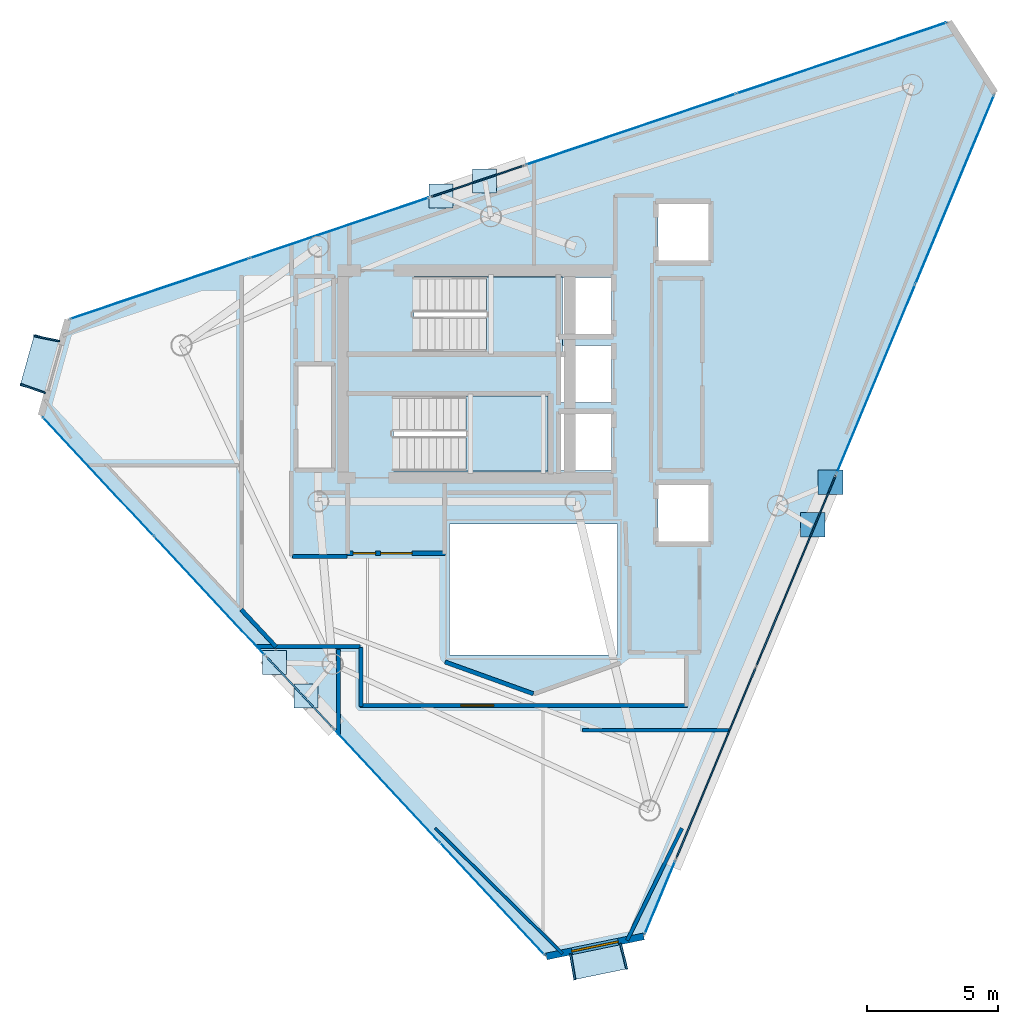
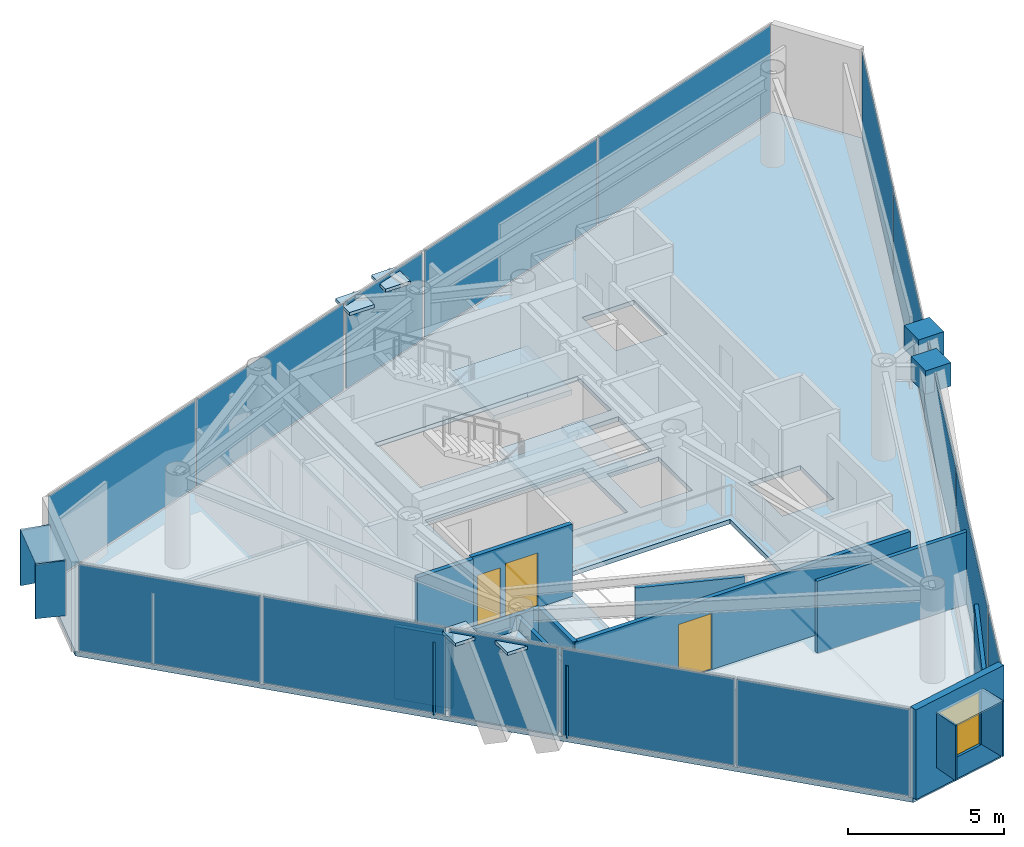
# One storey, part 16 of 19: 27 plates, 12 walls, 3 doors, 3 slabs, 1 window, 4 openings, 11 elements without a shape of their own.
"""IFC4 building model written with IfcOpenShell, lengths in metres."""

from ifc_helpers import new_model, si_unit, direction, frame, frame_2d, origin, origin_2d, place, context, subcontext, project, spatial, polyline, rectangle, outline, extrude, material, layer, layer_set, type_object, element, fill, aggregate, save


model = new_model("IFC4")

# Units and contexts
model_context = context("Model", 3, precision=1e-05, world=origin(), true_north=direction((0.0, 1.0)))
body_context = subcontext(model_context, "Body", "Model", "MODEL_VIEW")
ifc_project = project(units=[si_unit("LENGTHUNIT", "METRE"), si_unit("AREAUNIT", "SQUARE_METRE"), si_unit("VOLUMEUNIT", "CUBIC_METRE"), si_unit("PLANEANGLEUNIT", "RADIAN"), si_unit("MASSUNIT", "GRAM", prefix="KILO")], contexts=[model_context])

# Site, building, storey
site_placement = place(None, origin())
site = spatial("IfcSite", under=ifc_project, at=site_placement, CompositionType="ELEMENT")
building_placement = place(site_placement, origin())
building = spatial("IfcBuilding", under=site, at=building_placement, Name="Qianvela Tower", CompositionType="ELEMENT")
storey_placement = place(building_placement, frame((0.0, 0.0, 333.300048828125)))
storey = spatial("IfcBuildingStorey", under=building, at=storey_placement, Name="L86", CompositionType="ELEMENT", Elevation=333.300048828125)

# Curtain wall, plate
ifc_material_1 = material(Name="Anodised Architectural Aluminium and Insulated Spandrel Panel", Category="aluminium")
ifc_layer_1 = layer(ifc_material_1, 0.179931640625)
ifc_layer_set_1 = layer_set([ifc_layer_1], Name="Anodised Architectural Aluminium and Insulated Spandrel Panel")
curtain_wall_type_1 = type_object("IfcCurtainWallType", Name="CW-BRACEBAY", PredefinedType="USERDEFINED", material=ifc_layer_set_1)
curtain_wall_1_placement = place(storey_placement, origin())
curtain_wall_1 = element("IfcCurtainWall", 1, at=curtain_wall_1_placement, inside=storey, type_object=curtain_wall_type_1, Name="L86 CW-BRACEBAY Curtain Wall 02B", ObjectType="CURTAIN_WALL_SYSTEM", PredefinedType="USERDEFINED")
ifc_material_2 = material(Name="Insulated Aluminium Spandrel Panel with Mineral-Wool Backpan", Category="aluminium")
ifc_layer_2 = layer(ifc_material_2, 0.06005859375)
ifc_layer_set_2 = layer_set([ifc_layer_2], Name="Insulated Aluminium Spandrel Panel with Mineral-Wool Backpan")
plate_type_1 = type_object("IfcPlateType", Name="CW-BRACEBAY-PNL", PredefinedType="CURTAIN_PANEL", material=ifc_layer_set_2)
plate_1_placement = place(storey_placement, frame((34.66943359375, 36.038330078125, 0.06494140625), z_axis=(0.0, 0.0, 1.0), x_axis=(-0.947284070416, -0.320394896863, 0.0)))
plate_1 = element("IfcPlate", 2, at=plate_1_placement, type_object=plate_type_1, Name="CW-9 panel 1.1", PredefinedType="CURTAIN_PANEL", context=body_context, shape_type="SweptSolid", body=[
    extrude(rectangle(XDim=3.68994140625, YDim=0.06005859375, at=origin_2d()), origin(), (0.0, 0.0, 1.0), 3.389892578125),
])
aggregate(curtain_wall_1, [plate_1])

curtain_wall_2_placement = place(storey_placement, origin())
curtain_wall_2 = element("IfcCurtainWall", 3, at=curtain_wall_2_placement, inside=storey, type_object=curtain_wall_type_1, Name="L86 CW-BRACEBAY Curtain Wall 04B", ObjectType="CURTAIN_WALL_SYSTEM", PredefinedType="USERDEFINED")
plate_2_placement = place(storey_placement, frame((27.892333984375, 16.589599609375, 0.06494140625), z_axis=(0.0, 0.0, 1.0), x_axis=(0.682510946565, -0.730875370921, 0.0)))
plate_2 = element("IfcPlate", 4, at=plate_2_placement, type_object=plate_type_1, Name="CW-9 panel 1.1", PredefinedType="CURTAIN_PANEL", context=body_context, shape_type="SweptSolid", body=[
    extrude(rectangle(XDim=3.659912109375, YDim=0.06005859375, at=origin_2d()), origin(), (0.0, 0.0, 1.0), 3.389892578125),
])
aggregate(curtain_wall_2, [plate_2])

# Curtain wall, plates
curtain_wall_3_placement = place(storey_placement, origin())
curtain_wall_3 = element("IfcCurtainWall", 5, at=curtain_wall_3_placement, inside=storey, type_object=curtain_wall_type_1, Name="L86 CW-BRACEBAY Curtain Wall 06B", ObjectType="CURTAIN_WALL_SYSTEM", PredefinedType="USERDEFINED")
plate_3_placement = place(storey_placement, frame((43.742919921875, 13.896240234375, 0.06494140625), z_axis=(0.0, 0.0, 1.0), x_axis=(0.38440860942, 0.923163052231, 0.0)))
plate_3 = element("IfcPlate", 6, at=plate_3_placement, type_object=plate_type_1, Name="CW-9 panel 1.1", PredefinedType="CURTAIN_PANEL", context=body_context, shape_type="SweptSolid", body=[
    extrude(rectangle(XDim=7.8525390625, YDim=0.06005859375, at=origin_2d()), origin(), (0.0, 0.0, 1.0), 3.389892578125),
])
plate_4_placement = place(storey_placement, frame((46.78662109375, 21.205322265625, 0.06494140625), z_axis=(0.0, 0.0, 1.0), x_axis=(0.38440860942, 0.923163052231, 0.0)))
plate_4 = element("IfcPlate", 7, at=plate_4_placement, type_object=plate_type_1, Name="CW-9 panel 2.1", PredefinedType="CURTAIN_PANEL", context=body_context, shape_type="SweptSolid", body=[
    extrude(rectangle(XDim=7.8525390625, YDim=0.06005859375, at=origin_2d()), origin(), (0.0, 0.0, 1.0), 3.389892578125),
])
aggregate(curtain_wall_3, [plate_3, plate_4])

ifc_material_3 = material(Name="Anodised Architectural Aluminium and Low-E Glass", Category="aluminium")
ifc_layer_3 = layer(ifc_material_3, 0.14990234375)
ifc_layer_set_3 = layer_set([ifc_layer_3], Name="Anodised Architectural Aluminium and Low-E Glass")
curtain_wall_type_2 = type_object("IfcCurtainWallType", Name="CW-COLIV-Z78", PredefinedType="USERDEFINED", material=ifc_layer_set_3)
curtain_wall_4_placement = place(storey_placement, origin())
curtain_wall_4 = element("IfcCurtainWall", 8, at=curtain_wall_4_placement, inside=storey, type_object=curtain_wall_type_2, Name="L86 CW-COLIV-Z78 Curtain Wall 02A", ObjectType="CURTAIN_WALL_SYSTEM", PredefinedType="USERDEFINED")
ifc_material_4 = material(Name="Double-Silver Low-E Insulated Glass", Category="glass")
ifc_layer_4 = layer(ifc_material_4, 0.02587890625)
ifc_layer_set_4 = layer_set([ifc_layer_4], Name="Double-Silver Low-E Insulated Glass")
plate_type_2 = type_object("IfcPlateType", Name="CW-COLIV-Z78-PNL", PredefinedType="CURTAIN_PANEL", material=ifc_layer_set_4)
plate_5_placement = place(storey_placement, frame((48.52099609375, 40.723388671875, 0.06005859375), z_axis=(0.0, 0.0, 1.0), x_axis=(-0.947282242382, -0.320400301602, 0.0)))
plate_5 = element("IfcPlate", 9, at=plate_5_placement, type_object=plate_type_2, Name="CW-6 panel 1.1", PredefinedType="CURTAIN_PANEL", context=body_context, shape_type="SweptSolid", body=[
    extrude(rectangle(XDim=8.39501953125, YDim=0.02587890625, at=origin_2d()), origin(), (0.0, 0.0, 1.0), 3.39990234375),
])
plate_6_placement = place(storey_placement, frame((40.51171875, 38.014404296875, 0.06005859375), z_axis=(0.0, 0.0, 1.0), x_axis=(-0.947282242382, -0.320400301602, 0.0)))
plate_6 = element("IfcPlate", 10, at=plate_6_placement, type_object=plate_type_2, Name="CW-6 panel 2.1", PredefinedType="CURTAIN_PANEL", context=body_context, shape_type="SweptSolid", body=[
    extrude(rectangle(XDim=8.39501953125, YDim=0.02587890625, at=origin_2d()), origin(), (0.0, 0.0, 1.0), 3.39990234375),
])
aggregate(curtain_wall_4, [plate_5, plate_6])

curtain_wall_5_placement = place(storey_placement, origin())
curtain_wall_5 = element("IfcCurtainWall", 11, at=curtain_wall_5_placement, inside=storey, type_object=curtain_wall_type_2, Name="L86 CW-COLIV-Z78 Curtain Wall 02C", ObjectType="CURTAIN_WALL_SYSTEM", PredefinedType="USERDEFINED")
plate_7_placement = place(storey_placement, frame((29.412109375, 34.26025390625, 0.06005859375), z_axis=(0.0, 0.0, 1.0), x_axis=(-0.947282386914, -0.320399874285, 0.0)))
plate_7 = element("IfcPlate", 12, at=plate_7_placement, type_object=plate_type_2, Name="CW-6 panel 1.1", PredefinedType="CURTAIN_PANEL", context=body_context, shape_type="SweptSolid", body=[
    extrude(rectangle(XDim=7.159912109375, YDim=0.02587890625, at=origin_2d()), origin(), (0.0, 0.0, 1.0), 3.39990234375),
])
plate_8_placement = place(storey_placement, frame((22.572509765625, 31.94677734375, 0.06005859375), z_axis=(0.0, 0.0, 1.0), x_axis=(-0.947282386914, -0.320399874285, 0.0)))
plate_8 = element("IfcPlate", 13, at=plate_8_placement, type_object=plate_type_2, Name="CW-6 panel 2.1", PredefinedType="CURTAIN_PANEL", context=body_context, shape_type="SweptSolid", body=[
    extrude(rectangle(XDim=7.159912109375, YDim=0.02587890625, at=origin_2d()), origin(), (0.0, 0.0, 1.0), 3.39990234375),
])
aggregate(curtain_wall_5, [plate_7, plate_8])

curtain_wall_6_placement = place(storey_placement, origin())
curtain_wall_6 = element("IfcCurtainWall", 14, at=curtain_wall_6_placement, inside=storey, type_object=curtain_wall_type_2, Name="L86 CW-COLIV-Z78 Curtain Wall 04A", ObjectType="CURTAIN_WALL_SYSTEM", PredefinedType="USERDEFINED")
plate_9_placement = place(storey_placement, frame((20.23095703125, 24.793701171875, 0.06005859375), z_axis=(0.0, 0.0, 1.0), x_axis=(0.682507811535, -0.730878298483, 0.0)))
plate_9 = element("IfcPlate", 15, at=plate_9_placement, type_object=plate_type_2, Name="CW-6 panel 1.1", PredefinedType="CURTAIN_PANEL", context=body_context, shape_type="SweptSolid", body=[
    extrude(rectangle(XDim=6.14013671875, YDim=0.02587890625, at=origin_2d()), origin(), (0.0, 0.0, 1.0), 3.39990234375),
])
plate_10_placement = place(storey_placement, frame((24.462646484375, 20.26220703125, 0.06005859375), z_axis=(0.0, 0.0, 1.0), x_axis=(0.682507811535, -0.730878298483, 0.0)))
plate_10 = element("IfcPlate", 16, at=plate_10_placement, type_object=plate_type_2, Name="CW-6 panel 2.1", PredefinedType="CURTAIN_PANEL", context=body_context, shape_type="SweptSolid", body=[
    extrude(rectangle(XDim=6.14013671875, YDim=0.02587890625, at=origin_2d()), origin(), (0.0, 0.0, 1.0), 3.39990234375),
])
aggregate(curtain_wall_6, [plate_9, plate_10])

curtain_wall_7_placement = place(storey_placement, origin())
curtain_wall_7 = element("IfcCurtainWall", 17, at=curtain_wall_7_placement, inside=storey, type_object=curtain_wall_type_2, Name="L86 CW-COLIV-Z78 Curtain Wall 04C", ObjectType="CURTAIN_WALL_SYSTEM", PredefinedType="USERDEFINED")
plate_11_placement = place(storey_placement, frame((31.21240234375, 13.033935546875, 0.06005859375), z_axis=(0.0, 0.0, 1.0), x_axis=(0.682503322247, -0.730882490638, 0.0)))
plate_11 = element("IfcPlate", 18, at=plate_11_placement, type_object=plate_type_2, Name="CW-6 panel 1.1", PredefinedType="CURTAIN_PANEL", context=body_context, shape_type="SweptSolid", body=[
    extrude(rectangle(XDim=5.819580078125, YDim=0.02587890625, at=origin_2d()), origin(), (0.0, 0.0, 1.0), 3.39990234375),
])
plate_12_placement = place(storey_placement, frame((35.225341796875, 8.73681640625, 0.06005859375), z_axis=(0.0, 0.0, 1.0), x_axis=(0.682503322247, -0.730882490638, 0.0)))
plate_12 = element("IfcPlate", 19, at=plate_12_placement, type_object=plate_type_2, Name="CW-6 panel 2.1", PredefinedType="CURTAIN_PANEL", context=body_context, shape_type="SweptSolid", body=[
    extrude(rectangle(XDim=5.819580078125, YDim=0.02587890625, at=origin_2d()), origin(), (0.0, 0.0, 1.0), 3.39990234375),
])
aggregate(curtain_wall_7, [plate_11, plate_12])

# Curtain wall, plate
curtain_wall_8_placement = place(storey_placement, origin())
curtain_wall_8 = element("IfcCurtainWall", 20, at=curtain_wall_8_placement, inside=storey, type_object=curtain_wall_type_2, Name="L86 CW-COLIV-Z78 Curtain Wall 06A", ObjectType="CURTAIN_WALL_SYSTEM", PredefinedType="USERDEFINED")
plate_13_placement = place(storey_placement, frame((41.61083984375, 8.776123046875, 0.06005859375), z_axis=(0.0, 0.0, 1.0), x_axis=(0.384409889182, 0.923162519332, 0.0)))
plate_13 = element("IfcPlate", 21, at=plate_13_placement, type_object=plate_type_2, Name="CW-6 panel 1.1", PredefinedType="CURTAIN_PANEL", context=body_context, shape_type="SweptSolid", body=[
    extrude(rectangle(XDim=2.989990234375, YDim=0.02587890625, at=origin_2d()), origin(), (0.0, 0.0, 1.0), 3.39990234375),
])
aggregate(curtain_wall_8, [plate_13])

# Curtain wall, plates
curtain_wall_9_placement = place(storey_placement, origin())
curtain_wall_9 = element("IfcCurtainWall", 22, at=curtain_wall_9_placement, inside=storey, type_object=curtain_wall_type_2, Name="L86 CW-COLIV-Z78 Curtain Wall 06C", ObjectType="CURTAIN_WALL_SYSTEM", PredefinedType="USERDEFINED")
plate_14_placement = place(storey_placement, frame((49.831787109375, 28.518798828125, 0.06005859375), z_axis=(0.0, 0.0, 1.0), x_axis=(0.384414548446, 0.923160579175, 0.0)))
plate_14 = element("IfcPlate", 23, at=plate_14_placement, type_object=plate_type_2, Name="CW-6 panel 1.1", PredefinedType="CURTAIN_PANEL", context=body_context, shape_type="SweptSolid", body=[
    extrude(rectangle(XDim=7.741455078125, YDim=0.02587890625, at=origin_2d()), origin(), (0.0, 0.0, 1.0), 3.39990234375),
])
plate_15_placement = place(storey_placement, frame((52.830810546875, 35.720703125, 0.06005859375), z_axis=(0.0, 0.0, 1.0), x_axis=(0.384414548446, 0.923160579175, 0.0)))
plate_15 = element("IfcPlate", 24, at=plate_15_placement, type_object=plate_type_2, Name="CW-6 panel 2.1", PredefinedType="CURTAIN_PANEL", context=body_context, shape_type="SweptSolid", body=[
    extrude(rectangle(XDim=7.741455078125, YDim=0.02587890625, at=origin_2d()), origin(), (0.0, 0.0, 1.0), 3.39990234375),
])
aggregate(curtain_wall_9, [plate_14, plate_15])

# Plates
ifc_material_5 = material(Name="Steel Q420GJC", Category="steel")
ifc_layer_5 = layer(ifc_material_5, 0.1298828125)
ifc_layer_set_5 = layer_set([ifc_layer_5], Name="Steel Q420GJC")
plate_type_3 = type_object("IfcPlateType", Name="PT-ENDCAP-130", PredefinedType="USERDEFINED", material=ifc_layer_set_5)
for number, where, z_axis, x_axis, name in (
    (25, (34.931884765625, 36.042724609375, 3.20947265625), (0.0, 0.0, 1.0), (1.0, 0.0, 0.0), "L86 Hollow Section End Cap Plate B"),
    (26, (33.271728515625, 35.481201171875, 3.20947265625), (0.0, 0.0, 1.0), (1.0, 0.0, 0.0), "L86 Hollow Section End Cap Plate B"),
    (27, (26.942138671875, 17.72412109375, 3.209716796875), (0.0, 0.0, 1.0), (1.0, 0.0, 0.0), "L86 Hollow Section End Cap Plate B"),
    (28, (28.138427734375, 16.443115234375, 3.209716796875), (0.0, 0.0, 1.0), (1.0, 0.0, 0.0), "L86 Hollow Section End Cap Plate B"),
):
    element("IfcPlate", number, at=place(storey_placement, frame(where, z_axis=z_axis, x_axis=x_axis)), inside=storey, type_object=plate_type_3, Name=name, ObjectType="END_CAP", PredefinedType="USERDEFINED", context=body_context, shape_type="SweptSolid", body=[
        extrude(rectangle(XDim=0.919921875, YDim=0.919921875, at=origin_2d()), origin(), (0.0, 0.0, 1.0), 0.1298828125),
    ])
for number, where, z_axis, x_axis, name in (
    (29, (47.430419921875, 22.95947265625, 2.7734375), (0.0, 0.0, 1.0), (1.0, 0.0, 0.0), "L86 Hollow Section End Cap Plate B"),
    (30, (48.10400390625, 24.577392578125, 2.7734375), (0.0, 0.0, 1.0), (1.0, 0.0, 0.0), "L86 Hollow Section End Cap Plate B"),
):
    element("IfcPlate", number, at=place(storey_placement, frame(where, z_axis=z_axis, x_axis=x_axis)), inside=storey, type_object=plate_type_3, Name=name, ObjectType="END_CAP", PredefinedType="USERDEFINED", context=body_context, shape_type="SweptSolid", body=[
        extrude(rectangle(XDim=0.93994140625, YDim=0.93994140625, at=origin_2d()), origin(), (0.0, 0.0, 1.0), 0.919921875),
    ])

# Slab
ifc_material_6 = material(Name="Concrete C40", Category="concrete")
ifc_layer_6 = layer(ifc_material_6, 0.179931640625)
ifc_layer_set_6 = layer_set([ifc_layer_6], Name="Concrete C40")
slab_type_1 = type_object("IfcSlabType", Name="SL-FLOOR-180", PredefinedType="FLOOR", material=ifc_layer_set_6)
slab_1_placement = place(storey_placement, frame((0.0, 0.0, -0.179931640625)))
element("IfcSlab", 31, at=slab_1_placement, inside=storey, type_object=slab_type_1, Name="L86 Composite Structural Floor Slab", PredefinedType="FLOOR", context=body_context, shape_type="SweptSolid", body=[
    extrude(outline(polyline([(54.361083984375, 39.395751953125), (52.6015625, 42.103515625), (19.0771484375, 30.7646484375), (18.060791015625, 27.117919921875), (37.286376953125, 6.52978515625), (40.993896484375, 7.29443359375), (54.361083984375, 39.395751953125)]), holes=[polyline([(40.0, 23.0), (33.60009765625, 23.0), (33.60009765625, 18.0), (40.0, 18.0), (40.0, 23.0)]), polyline([(43.4599609375, 24.47998046875), (41.5400390625, 24.47998046875), (41.5400390625, 22.320068359375), (43.4599609375, 22.320068359375), (43.4599609375, 24.47998046875)]), polyline([(39.760009765625, 27.179931640625), (37.840087890625, 27.179931640625), (37.840087890625, 25.02001953125), (39.760009765625, 25.02001953125), (39.760009765625, 27.179931640625)]), polyline([(37.35009765625, 27.860107421875), (31.469970703125, 27.860107421875), (31.469970703125, 25.0), (37.35009765625, 25.0), (37.35009765625, 27.860107421875)]), polyline([(39.760009765625, 27.6201171875), (39.760009765625, 29.780029296875), (37.89990234375, 29.780029296875), (37.89990234375, 30.219970703125), (39.760009765625, 30.219970703125), (39.760009765625, 32.3798828125), (37.89990234375, 32.3798828125), (37.89990234375, 32.39990234375), (32.25, 32.39990234375), (32.25, 29.5400390625), (37.840087890625, 29.5400390625), (37.840087890625, 27.6201171875), (39.760009765625, 27.6201171875)]), polyline([(43.4599609375, 35.179931640625), (41.5400390625, 35.179931640625), (41.5400390625, 33.02001953125), (43.4599609375, 33.02001953125), (43.4599609375, 35.179931640625)])]), origin(), (0.0, 0.0, 1.0), 0.179931640625),
])

# Stair, slab
ifc_material_7 = material(Name="Concrete C40", Category="concrete")
stair_type = type_object("IfcStairType", Name="ST-DOGLEG-1350-R168-N22", PredefinedType="HALF_TURN_STAIR", material=ifc_material_7)
stair_1_placement = place(storey_placement, origin())
stair_1 = element("IfcStair", 32, at=stair_1_placement, inside=storey, type_object=stair_type, Name="L86 Smoke-Proof Core Stair ST-1", PredefinedType="HALF_TURN_STAIR")
ifc_material_8 = material(Name="Concrete C40", Category="concrete")
ifc_layer_7 = layer(ifc_material_8, 0.199951171875)
ifc_layer_set_7 = layer_set([ifc_layer_7], Name="Concrete C40")
slab_type_2 = type_object("IfcSlabType", Name="SL-STAIR-LANDING-200", PredefinedType="LANDING", material=ifc_layer_set_7)
slab_2_placement = place(storey_placement, frame((0.0, 0.0, 1.64990234375)))
slab_2 = element("IfcSlab", 33, at=slab_2_placement, type_object=slab_type_2, Name="ST-1 landing 1", PredefinedType="LANDING", context=body_context, shape_type="SweptSolid", body=[
    extrude(outline(polyline([(35.0, 29.5400390625), (37.89990234375, 29.5400390625), (37.89990234375, 32.39990234375), (35.0, 32.39990234375), (35.0, 29.5400390625)])), origin(), (0.0, 0.0, 1.0), 0.199951171875),
])
aggregate(stair_1, [slab_2])

stair_2_placement = place(storey_placement, origin())
stair_2 = element("IfcStair", 34, at=stair_2_placement, inside=storey, type_object=stair_type, Name="L86 Smoke-Proof Core Stair ST-2", PredefinedType="HALF_TURN_STAIR")
slab_3_placement = place(storey_placement, frame((0.0, 0.0, 1.64990234375)))
slab_3 = element("IfcSlab", 35, at=slab_3_placement, type_object=slab_type_2, Name="ST-2 landing 1", PredefinedType="LANDING", context=body_context, shape_type="SweptSolid", body=[
    extrude(outline(polyline([(34.219970703125, 25.0), (37.35009765625, 25.0), (37.35009765625, 27.860107421875), (34.219970703125, 27.860107421875), (34.219970703125, 25.0)])), origin(), (0.0, 0.0, 1.0), 0.199951171875),
])
aggregate(stair_2, [slab_3])

# Plates
ifc_material_9 = material(Name="Vitrified Architectural Terracotta Panel", Category="masonry")
ifc_layer_8 = layer(ifc_material_9, 0.06005859375)
ifc_layer_set_8 = layer_set([ifc_layer_8], Name="Vitrified Architectural Terracotta Panel")
plate_type_4 = type_object("IfcPlateType", Name="TERRACOTTA-SUNSHADE-HOOD-FOLD-A", PredefinedType="USERDEFINED", material=ifc_layer_set_8)
plate_16_placement = place(storey_placement, frame((18.00537109375, 29.098388671875, 2.9599609375), z_axis=(0.0, 0.0, 1.0), x_axis=(-0.268484404882, -0.963284030977, 0.0)))
element("IfcPlate", 36, at=plate_16_placement, inside=storey, type_object=plate_type_4, Name="L86 Terracotta Sunshade Hood FOLD-A", ObjectType="SUNSHADE", PredefinedType="USERDEFINED", context=body_context, shape_type="SweptSolid", body=[
    extrude(rectangle(XDim=2.0400390625, YDim=0.989990234375, at=origin_2d()), origin(), (0.0, 0.0, 1.0), 0.06005859375),
])
ifc_material_10 = material(Name="Vitrified Architectural Terracotta Panel", Category="masonry")
ifc_layer_9 = layer(ifc_material_10, 0.070068359375)
ifc_layer_set_9 = layer_set([ifc_layer_9], Name="Vitrified Architectural Terracotta Panel")
plate_type_5 = type_object("IfcPlateType", Name="TERRACOTTA-SUNSHADE-HOOD-FOLD-C", PredefinedType="USERDEFINED", material=ifc_layer_set_9)
plate_17_placement = place(storey_placement, frame((39.25830078125, 6.339111328125, 2.9599609375), z_axis=(0.0, 0.0, 1.0), x_axis=(0.979381424768, 0.202019862437, 0.0)))
element("IfcPlate", 37, at=plate_17_placement, inside=storey, type_object=plate_type_5, Name="L86 Terracotta Sunshade Hood FOLD-C", ObjectType="SUNSHADE", PredefinedType="USERDEFINED", context=body_context, shape_type="SweptSolid", body=[
    extrude(rectangle(XDim=2.0400390625, YDim=0.989990234375, at=origin_2d()), origin(), (0.0, 0.0, 1.0), 0.06005859375),
])
ifc_material_11 = material(Name="Vitrified Architectural Terracotta Side Fin Panel", Category="masonry")
ifc_layer_10 = layer(ifc_material_11, 0.06494140625)
ifc_layer_set_10 = layer_set([ifc_layer_10], Name="Vitrified Architectural Terracotta Side Fin Panel")
plate_type_6 = type_object("IfcPlateType", Name="TERRACOTTA-SUNSHADE-STRUT-FOLD-A", PredefinedType="USERDEFINED", material=ifc_layer_set_10)
for number, where, z_axis, x_axis, name in (
    (38, (18.271240234375, 30.052001953125, 0.85009765625), (0.0, 0.0, 1.0), (-0.20063509315, -0.979666044832, 0.0), "L86 Terracotta Sunshade Side Fin HL FOLD-A"),
    (39, (17.739501953125, 28.144775390625, 0.85009765625), (0.0, 0.0, 1.0), (-0.33502568758, -0.942208994152, 0.0), "L86 Terracotta Sunshade Side Fin HR FOLD-A"),
):
    element("IfcPlate", number, at=place(storey_placement, frame(where, z_axis=z_axis, x_axis=x_axis)), inside=storey, type_object=plate_type_6, Name=name, ObjectType="SUNSHADE", PredefinedType="USERDEFINED", context=body_context, shape_type="SweptSolid", body=[
        extrude(rectangle(XDim=0.06494140625, YDim=1.010009765625, at=origin_2d()), origin(), (0.0, 0.0, 1.0), 2.159912109375),
    ])
ifc_material_12 = material(Name="Vitrified Architectural Terracotta Side Fin Panel", Category="masonry")
ifc_layer_11 = layer(ifc_material_12, 0.074951171875)
ifc_layer_set_11 = layer_set([ifc_layer_11], Name="Vitrified Architectural Terracotta Side Fin Panel")
plate_type_7 = type_object("IfcPlateType", Name="TERRACOTTA-SUNSHADE-STRUT-FOLD-C", PredefinedType="USERDEFINED", material=ifc_layer_set_11)
for number, where, z_axis, x_axis, name in (
    (40, (38.288818359375, 6.13916015625, 0.85009765625), (0.0, 0.0, 1.0), (0.985835203589, 0.167716878591, 0.0), "L86 Terracotta Sunshade Side Fin HL FOLD-C"),
    (41, (40.227783203125, 6.539306640625, 0.85009765625), (0.0, 0.0, 1.0), (0.971734420543, 0.2360767162, 0.0), "L86 Terracotta Sunshade Side Fin HR FOLD-C"),
):
    element("IfcPlate", number, at=place(storey_placement, frame(where, z_axis=z_axis, x_axis=x_axis)), inside=storey, type_object=plate_type_7, Name=name, ObjectType="SUNSHADE", PredefinedType="USERDEFINED", context=body_context, shape_type="SweptSolid", body=[
        extrude(rectangle(XDim=0.074951171875, YDim=1.010009765625, at=origin_2d()), origin(), (0.0, 0.0, 1.0), 2.159912109375),
    ])

# Wall, opening, window
ifc_material_13 = material(Name="Terracotta Cladding on Concrete C40", Category="masonry")
ifc_layer_12 = layer(ifc_material_13, 0.260009765625)
ifc_layer_set_12 = layer_set([ifc_layer_12], Name="Terracotta Cladding on Concrete C40")
wall_type_1 = type_object("IfcWallType", Name="TERRACOTTA-WALL-260", PredefinedType="SOLIDWALL", material=ifc_layer_set_12)
wall_1_placement = place(storey_placement, frame((37.286376953125, 6.52978515625, 0.0), z_axis=(0.0, 0.0, 1.0), x_axis=(0.979387300464, 0.201991375283, 0.0)))
wall_1 = element("IfcWall", 42, at=wall_1_placement, inside=storey, type_object=wall_type_1, Name="L86 Terracotta Chamfer Facet Wall 5", PredefinedType="SOLIDWALL", context=body_context, shape_type="SweptSolid", body=[
    extrude(rectangle(XDim=3.78564453125, YDim=0.260009765625, at=frame_2d((1.892822265625, 0.0))), origin(), (0.0, 0.0, 1.0), 3.52001953125),
])
opening_1_placement = place(wall_1_placement, frame((0.992919921875, 0.0, 0.85009765625)))
opening_1 = element("IfcOpeningElement", 43, at=opening_1_placement, cuts=wall_1, Name="Opening W-01", PredefinedType="OPENING", context=body_context, shape_type="SweptSolid", body=[
    extrude(rectangle(XDim=1.800048828125, YDim=2.10009765625, at=frame_2d((0.89990234375, 1.050048828125))), frame((0.0, 0.139892578125, 0.0), z_axis=(0.0, -1.0, 0.0), x_axis=(1.0, 0.0, 0.0)), (0.0, 0.0, 1.0), 0.280029296875),
])
ifc_material_14 = material(Name="Thermally Broken Aluminium and Low-E Glass", Category="aluminium")
window_type = type_object("IfcWindowType", Name="WIN-TC-1800x2100", PartitioningType="DOUBLE_PANEL_VERTICAL", PredefinedType="WINDOW", material=ifc_material_14)
window_placement = place(opening_1_placement, origin())
window = element("IfcWindow", 44, at=window_placement, inside=storey, type_object=window_type, Name="L86 Chamfer Facet Window 5.1", OverallHeight=2.10009765625, OverallWidth=1.800048828125, PartitioningType="SINGLE_PANEL", PredefinedType="WINDOW", context=body_context, shape_type="SweptSolid", body=[
    extrude(rectangle(XDim=1.800048828125, YDim=2.10009765625, at=frame_2d((0.89990234375, 1.050048828125))), frame((0.0, 0.030029296875, 0.0), z_axis=(0.0, -1.0, 0.0), x_axis=(1.0, 0.0, 0.0)), (0.0, 0.0, 1.0), 0.06005859375),
])
fill(opening_1, window)

# Wall, openings, doors
ifc_material_15 = material(Name="Fire-Rated Gypsum and Concrete Block", Category="concrete")
ifc_layer_13 = layer(ifc_material_15, 0.159912109375)
ifc_layer_set_13 = layer_set([ifc_layer_13], Name="Fire-Rated Gypsum and Concrete Block")
wall_type_2 = type_object("IfcWallType", Name="WT-CORR-160", PredefinedType="PARTITIONING", material=ifc_layer_set_13)
wall_2_placement = place(storey_placement, frame((33.449951171875, 21.881103515625, 0.0), z_axis=(0.0, 0.0, 1.0), x_axis=(-1.0, 0.0, 0.0)))
wall_2 = element("IfcWall", 45, at=wall_2_placement, inside=storey, type_object=wall_type_2, Name="L86 Partition 5", PredefinedType="PARTITIONING", context=body_context, shape_type="SweptSolid", body=[
    extrude(rectangle(XDim=3.75, YDim=0.159912109375, at=frame_2d((1.875, 0.0))), origin(), (0.0, 0.0, 1.0), 2.83984375),
])
opening_2_placement = place(wall_2_placement, frame((1.27490234375, 0.0, 0.0)))
opening_2 = element("IfcOpeningElement", 46, at=opening_2_placement, cuts=wall_2, Name="Opening D-LB1", PredefinedType="OPENING", context=body_context, shape_type="SweptSolid", body=[
    extrude(rectangle(XDim=1.199951171875, YDim=2.14990234375, at=frame_2d((0.60009765625, 1.074951171875))), frame((0.0, 0.08984375, 0.0), z_axis=(0.0, -1.0, 0.0), x_axis=(1.0, 0.0, 0.0)), (0.0, 0.0, 1.0), 0.179931640625),
])
opening_3_placement = place(wall_2_placement, frame((2.659912109375, 0.0, 0.0)))
opening_3 = element("IfcOpeningElement", 47, at=opening_3_placement, cuts=wall_2, Name="Opening D-LB2", PredefinedType="OPENING", context=body_context, shape_type="SweptSolid", body=[
    extrude(rectangle(XDim=0.860107421875, YDim=2.050048828125, at=frame_2d((0.43017578125, 1.02490234375))), frame((0.0, 0.08984375, 0.0), z_axis=(0.0, -1.0, 0.0), x_axis=(1.0, 0.0, 0.0)), (0.0, 0.0, 1.0), 0.179931640625),
])
ifc_material_16 = material(Name="Glazed Fire-Rated Steel Frame", Category="steel")
door_type_1 = type_object("IfcDoorType", Name="DT-LOBBY-FD90", OperationType="NOTDEFINED", PredefinedType="DOOR", material=ifc_material_16)
door_1_placement = place(opening_2_placement, origin())
door_1 = element("IfcDoor", 48, at=door_1_placement, inside=storey, type_object=door_type_1, Name="L86 Door L86 Firefighting Lobby South to L86 Floor Corridor", OperationType="SINGLE_SWING_RIGHT", OverallHeight=2.14990234375, OverallWidth=1.199951171875, PredefinedType="DOOR", context=body_context, shape_type="SweptSolid", body=[
    extrude(rectangle(XDim=1.199951171875, YDim=2.14990234375, at=frame_2d((0.60009765625, 1.074951171875))), frame((0.0, 0.02490234375, 0.0), z_axis=(0.0, -1.0, 0.0), x_axis=(1.0, 0.0, 0.0)), (0.0, 0.0, 1.0), 0.050048828125),
])
fill(opening_2, door_1)
ifc_material_17 = material(Name="Insulated Steel Fire Door Q355B", Category="steel")
door_type_2 = type_object("IfcDoorType", Name="DT-LOBBY-FD90-860", OperationType="NOTDEFINED", PredefinedType="DOOR", material=ifc_material_17)
door_2_placement = place(opening_3_placement, origin())
door_2 = element("IfcDoor", 49, at=door_2_placement, inside=storey, type_object=door_type_2, Name="L86 Door L86 Firefighting Lobby South to L86 Floor Corridor", OperationType="SINGLE_SWING_RIGHT", OverallHeight=2.050048828125, OverallWidth=0.860107421875, PredefinedType="DOOR", context=body_context, shape_type="SweptSolid", body=[
    extrude(rectangle(XDim=0.860107421875, YDim=2.050048828125, at=frame_2d((0.43017578125, 1.02490234375))), frame((0.0, 0.02490234375, 0.0), z_axis=(0.0, -1.0, 0.0), x_axis=(1.0, 0.0, 0.0)), (0.0, 0.0, 1.0), 0.050048828125),
])
fill(opening_3, door_2)

# Walls
wall_3_placement = place(storey_placement, frame((27.6201171875, 21.7490234375, 0.0), z_axis=(0.0, 0.0, 1.0), x_axis=(1.0, 0.0, 0.0)))
element("IfcWall", 50, at=wall_3_placement, inside=storey, type_object=wall_type_2, Name="L86 Partition 46 seg 1", PredefinedType="PARTITIONING", context=body_context, shape_type="SweptSolid", body=[
    extrude(rectangle(XDim=2.079833984375, YDim=0.159912109375, at=frame_2d((1.0400390625, 0.0))), origin(), (0.0, 0.0, 1.0), 2.83984375),
])
wall_4_placement = place(storey_placement, frame((33.433837890625, 17.738037109375, 0.0), z_axis=(0.0, 0.0, 1.0), x_axis=(0.940782662834, -0.339010296764, 0.0)))
element("IfcWall", 51, at=wall_4_placement, inside=storey, type_object=wall_type_2, Name="L86 Partition 47", PredefinedType="PARTITIONING", context=body_context, shape_type="SweptSolid", body=[
    extrude(rectangle(XDim=3.56689453125, YDim=0.159912109375, at=frame_2d((1.783447265625, 0.0))), origin(), (0.0, 0.0, 1.0), 2.83984375),
])

# Wall, opening, door
wall_5_placement = place(storey_placement, frame((42.64990234375, 16.0810546875, 0.0), z_axis=(0.0, 0.0, 1.0), x_axis=(-1.0, 0.0, 0.0)))
wall_5 = element("IfcWall", 52, at=wall_5_placement, inside=storey, type_object=wall_type_2, Name="L86 Partition 51", PredefinedType="PARTITIONING", context=body_context, shape_type="SweptSolid", body=[
    extrude(rectangle(XDim=12.449951171875, YDim=0.159912109375, at=frame_2d((6.22509765625, 0.0))), origin(), (0.0, 0.0, 1.0), 2.83984375),
])
opening_4_placement = place(wall_5_placement, frame((7.365478515625, 0.0, 0.0)))
opening_4 = element("IfcOpeningElement", 53, at=opening_4_placement, cuts=wall_5, Name="Opening D-LG1", PredefinedType="OPENING", context=body_context, shape_type="SweptSolid", body=[
    extrude(rectangle(XDim=1.25, YDim=2.199951171875, at=frame_2d((0.625, 1.10009765625))), frame((0.0, 0.08984375, 0.0), z_axis=(0.0, -1.0, 0.0), x_axis=(1.0, 0.0, 0.0)), (0.0, 0.0, 1.0), 0.179931640625),
])
ifc_material_18 = material(Name="Anodised Aluminium Acoustic Glass Door", Category="aluminium")
door_type_3 = type_object("IfcDoorType", Name="DT-LOUNGE-1250", OperationType="NOTDEFINED", PredefinedType="DOOR", material=ifc_material_18)
door_3_placement = place(opening_4_placement, origin())
door_3 = element("IfcDoor", 54, at=door_3_placement, inside=storey, type_object=door_type_3, Name="L86 Door Panoramic Study Lounge L86-02 to L86 Floor Corridor", OperationType="SINGLE_SWING_RIGHT", OverallHeight=2.199951171875, OverallWidth=1.25, PredefinedType="DOOR", context=body_context, shape_type="SweptSolid", body=[
    extrude(rectangle(XDim=1.25, YDim=2.199951171875, at=frame_2d((0.625, 1.10009765625))), frame((0.0, 0.02490234375, 0.0), z_axis=(0.0, -1.0, 0.0), x_axis=(1.0, 0.0, 0.0)), (0.0, 0.0, 1.0), 0.050048828125),
])
fill(opening_4, door_3)

# Walls
wall_6_placement = place(storey_placement, frame((30.23095703125, 16.050048828125, 0.0), z_axis=(0.0, 0.0, 1.0), x_axis=(0.0, 1.0, 0.0)))
element("IfcWall", 55, at=wall_6_placement, inside=storey, type_object=wall_type_2, Name="L86 Partition 52", PredefinedType="PARTITIONING", context=body_context, shape_type="SweptSolid", body=[
    extrude(rectangle(XDim=2.25, YDim=0.159912109375, at=frame_2d((1.125, 0.0))), origin(), (0.0, 0.0, 1.0), 2.83984375),
])
wall_7_placement = place(storey_placement, frame((30.199951171875, 18.3310546875, 0.0), z_axis=(0.0, 0.0, 1.0), x_axis=(-1.0, 0.0, 0.0)))
element("IfcWall", 56, at=wall_7_placement, inside=storey, type_object=wall_type_2, Name="L86 Partition 53", PredefinedType="PARTITIONING", context=body_context, shape_type="SweptSolid", body=[
    extrude(rectangle(XDim=3.953857421875, YDim=0.159912109375, at=frame_2d((1.97705078125, 0.0))), origin(), (0.0, 0.0, 1.0), 2.83984375),
])
wall_8_placement = place(storey_placement, frame((26.994873046875, 18.3212890625, 0.0), z_axis=(0.0, 0.0, 1.0), x_axis=(-0.682560687031, 0.730828918776, 0.0)))
element("IfcWall", 57, at=wall_8_placement, inside=storey, type_object=wall_type_2, Name="L86 Partition 54", PredefinedType="PARTITIONING", context=body_context, shape_type="SweptSolid", body=[
    extrude(rectangle(XDim=1.937255859375, YDim=0.159912109375, at=frame_2d((0.96875, 0.0))), origin(), (0.0, 0.0, 1.0), 2.83984375),
])
ifc_material_19 = material(Name="Lightweight Gypsum Room Partition")
ifc_layer_14 = layer(ifc_material_19, 0.10498046875)
ifc_layer_set_14 = layer_set([ifc_layer_14], Name="Lightweight Gypsum Room Partition")
wall_type_3 = type_object("IfcWallType", Name="WT-PART-105", PredefinedType="PARTITIONING", material=ifc_layer_set_14)
wall_9_placement = place(storey_placement, frame((37.9033203125, 6.639404296875, 0.0), z_axis=(0.0, 0.0, 1.0), x_axis=(-0.712590818951, 0.701579877667, 0.0)))
element("IfcWall", 58, at=wall_9_placement, inside=storey, type_object=wall_type_3, Name="L86 Partition 62 seg 1", PredefinedType="PARTITIONING", context=body_context, shape_type="SweptSolid", body=[
    extrude(rectangle(XDim=6.806884765625, YDim=0.10498046875, at=frame_2d((3.4033203125, 0.0))), origin(), (0.0, 0.0, 1.0), 2.83984375),
])
ifc_material_20 = material(Name="Acoustic Double Gypsum Stud Partition")
ifc_layer_15 = layer(ifc_material_20, 0.139892578125)
ifc_layer_set_15 = layer_set([ifc_layer_15], Name="Acoustic Double Gypsum Stud Partition")
wall_type_4 = type_object("IfcWallType", Name="WT-ROOM-140", PredefinedType="PARTITIONING", material=ifc_layer_set_15)
wall_10_placement = place(storey_placement, frame((42.447509765625, 11.4091796875, 0.0), z_axis=(0.0, 0.0, 1.0), x_axis=(-0.43937441441, -0.898304026464, 0.0)))
element("IfcWall", 59, at=wall_10_placement, inside=storey, type_object=wall_type_4, Name="L86 Partition 60 seg 1", PredefinedType="PARTITIONING", context=body_context, shape_type="SweptSolid", body=[
    extrude(rectangle(XDim=4.744140625, YDim=0.139892578125, at=frame_2d((2.3720703125, 0.0))), origin(), (0.0, 0.0, 1.0), 2.83984375),
])
wall_11_placement = place(storey_placement, frame((29.373046875, 14.98388671875, 0.0), z_axis=(0.0, 0.0, 1.0), x_axis=(0.0, 1.0, 0.0)))
element("IfcWall", 60, at=wall_11_placement, inside=storey, type_object=wall_type_4, Name="L86 Partition 63", PredefinedType="PARTITIONING", context=body_context, shape_type="SweptSolid", body=[
    extrude(rectangle(XDim=3.236083984375, YDim=0.139892578125, at=frame_2d((1.6181640625, 0.0))), origin(), (0.0, 0.0, 1.0), 2.83984375),
])
wall_12_placement = place(storey_placement, frame((38.657958984375, 15.138916015625, 0.0), z_axis=(0.0, 0.0, 1.0), x_axis=(0.99999909507, 0.001345309723, 0.0)))
element("IfcWall", 61, at=wall_12_placement, inside=storey, type_object=wall_type_4, Name="L86 Partition 66", PredefinedType="PARTITIONING", context=body_context, shape_type="SweptSolid", body=[
    extrude(rectangle(XDim=5.625732421875, YDim=0.139892578125, at=frame_2d((2.81298828125, 0.0))), origin(), (0.0, 0.0, 1.0), 2.83984375),
])

save(model, "model.ifc")
